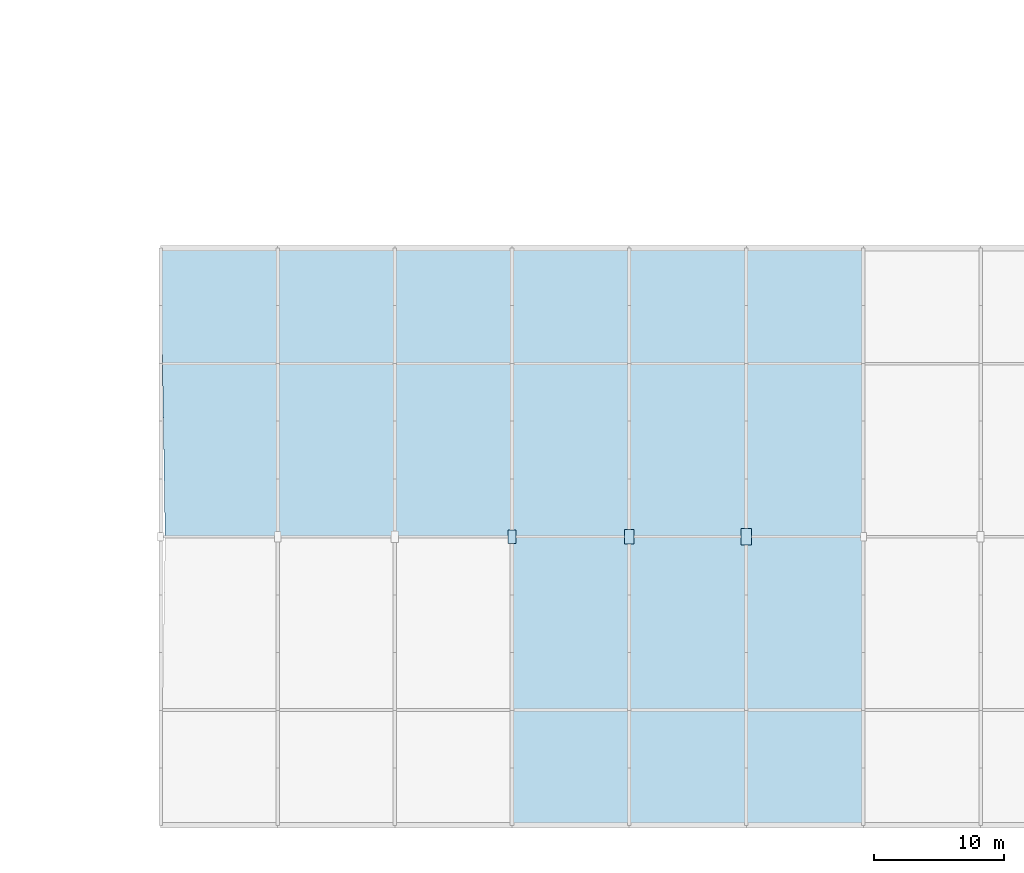
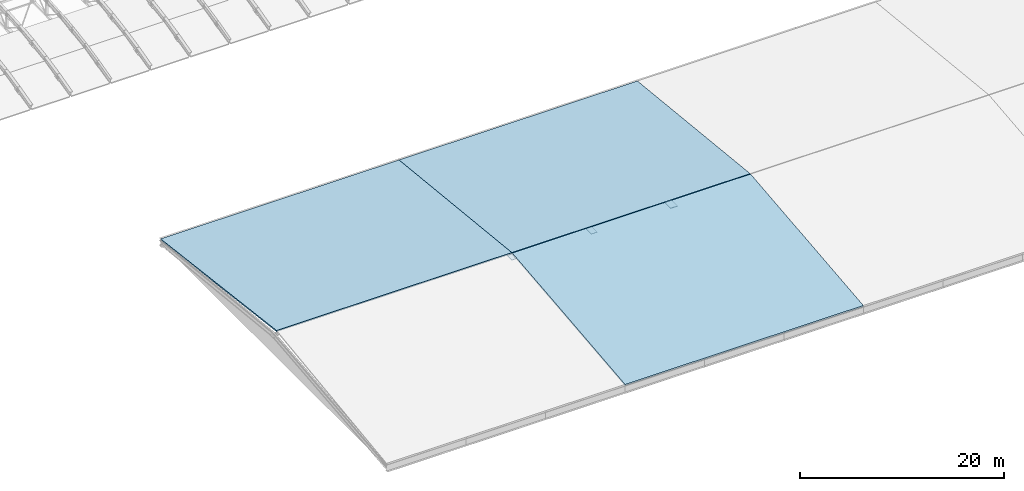
# One storey, part 31 of 53: 3 plates, 3 slabs.
"""IFC4 building model written with IfcOpenShell, lengths in metres."""

from ifc_helpers import new_model, si_unit, direction, frame, origin, origin_2d, place, context, subcontext, project, spatial, polyline, rectangle, outline, extrude, material, layer, layer_set, type_object, element, save


model = new_model("IFC4")

# Units and contexts
model_context = context("Model", 3, precision=1e-05, world=origin(), true_north=direction((0.0, 1.0)))
body_context = subcontext(model_context, "Body", "Model", "MODEL_VIEW")
ifc_project = project(units=[si_unit("LENGTHUNIT", "METRE"), si_unit("AREAUNIT", "SQUARE_METRE"), si_unit("VOLUMEUNIT", "CUBIC_METRE"), si_unit("PLANEANGLEUNIT", "RADIAN"), si_unit("MASSUNIT", "GRAM", prefix="KILO")], contexts=[model_context])

# Site, building, storey
site_placement = place(None, origin())
site = spatial("IfcSite", under=ifc_project, at=site_placement, CompositionType="ELEMENT")
building_placement = place(site_placement, origin())
building = spatial("IfcBuilding", under=site, at=building_placement, Name="Cazmaro Siding Exhibition Halls", CompositionType="ELEMENT")
storey_placement = place(building_placement, frame((0.0, 0.0, 21.0)))
storey = spatial("IfcBuildingStorey", under=building, at=storey_placement, Name="L04", CompositionType="ELEMENT", Elevation=21.0)

# Plates
ifc_material_1 = material(Name="Steel ASTM A572 Grade 50", Category="steel")
ifc_layer_1 = layer(ifc_material_1, 0.0419921875)
ifc_layer_set_1 = layer_set([ifc_layer_1], Name="Steel ASTM A572 Grade 50")
plate_type_1 = type_object("IfcPlateType", Name="GP-10", PredefinedType="USERDEFINED", material=ifc_layer_set_1)
plate_1_placement = place(storey_placement, frame((99.0, 31.425048828125, 1.8291015625), z_axis=(0.0, 0.0, 1.0), x_axis=(0.0, 1.0, 0.0)))
element("IfcPlate", 1, at=plate_1_placement, inside=storey, type_object=plate_type_1, Name="Warren truss ridge gusset plate GP-10 node TN-03", ObjectType="GUSSET PLATE", PredefinedType="USERDEFINED", context=body_context, shape_type="SweptSolid", body=[
    extrude(rectangle(XDim=1.02001953125, YDim=0.639892578125, at=origin_2d()), origin(), (0.0, 0.0, 1.0), 0.0419921875),
])
ifc_material_2 = material(Name="Steel ASTM A572 Grade 50", Category="steel")
ifc_layer_2 = layer(ifc_material_2, 0.052001953125)
ifc_layer_set_2 = layer_set([ifc_layer_2], Name="Steel ASTM A572 Grade 50")
plate_type_2 = type_object("IfcPlateType", Name="GP-11", PredefinedType="USERDEFINED", material=ifc_layer_set_2)
plate_2_placement = place(storey_placement, frame((108.0, 31.425048828125, 1.82421875), z_axis=(0.0, 0.0, 1.0), x_axis=(0.0, 1.0, 0.0)))
element("IfcPlate", 2, at=plate_2_placement, inside=storey, type_object=plate_type_2, Name="Warren truss ridge gusset plate GP-11 node TN-03", ObjectType="GUSSET PLATE", PredefinedType="USERDEFINED", context=body_context, shape_type="SweptSolid", body=[
    extrude(rectangle(XDim=1.139892578125, YDim=0.719970703125, at=origin_2d()), origin(), (0.0, 0.0, 1.0), 0.052001953125),
])
ifc_material_3 = material(Name="Steel ASTM A572 Grade 50", Category="steel")
ifc_layer_3 = layer(ifc_material_3, 0.06201171875)
ifc_layer_set_3 = layer_set([ifc_layer_3], Name="Steel ASTM A572 Grade 50")
plate_type_3 = type_object("IfcPlateType", Name="GP-12", PredefinedType="USERDEFINED", material=ifc_layer_set_3)
plate_3_placement = place(storey_placement, frame((117.0, 31.425048828125, 1.819091796875), z_axis=(0.0, 0.0, 1.0), x_axis=(0.0, 1.0, 0.0)))
element("IfcPlate", 3, at=plate_3_placement, inside=storey, type_object=plate_type_3, Name="Warren truss ridge gusset plate GP-12 node TN-03", ObjectType="GUSSET PLATE", PredefinedType="USERDEFINED", context=body_context, shape_type="SweptSolid", body=[
    extrude(rectangle(XDim=1.280029296875, YDim=0.820068359375, at=origin_2d()), origin(), (0.0, 0.0, 1.0), 0.06201171875),
])

# Slabs
ifc_material_4 = material(Name="Concrete f'c 35 MPa", Category="concrete")
ifc_layer_4 = layer(ifc_material_4, 0.159912109375)
ifc_layer_set_4 = layer_set([ifc_layer_4], Name="Concrete f'c 35 MPa")
slab_type = type_object("IfcSlabType", Name="RS-01", PredefinedType="ROOF", material=ifc_layer_set_4)
slab_1_placement = place(storey_placement, frame((72.35009765625, 31.4599609375, 2.326904296875), z_axis=(0.0, 0.104523227723, 0.994522445632), x_axis=(1.0, 0.0, 0.0)))
element("IfcSlab", 4, at=slab_1_placement, inside=storey, type_object=slab_type, Name="Hall B2 Warren North Roof Panel 1 RS-01 SLB-0072", PredefinedType="ROOF", context=body_context, shape_type="SweptSolid", body=[
    extrude(outline(polyline([(0.0, 0.0), (26.64990234375, 0.0), (26.64990234375, 22.262078463875678), (-0.35009765625, 22.262078463875678), (0.0, 0.0)])), origin(), (0.0, 0.0, -1.0), 0.159912109375),
])
slab_2_placement = place(storey_placement, frame((99.0, 9.25, 0.0), z_axis=(0.0, -0.104524367728, 0.994522325818), x_axis=(1.0, 0.0, 0.0)))
element("IfcSlab", 5, at=slab_2_placement, inside=storey, type_object=slab_type, Name="Hall B2 Warren South Roof Panel 2 RS-01 SLB-0073", PredefinedType="ROOF", context=body_context, shape_type="SweptSolid", body=[
    extrude(outline(polyline([(0.0, 0.0), (27.0, 0.0), (27.0, 22.26183566055885), (0.0, 22.26183566055885), (0.0, 0.0)])), origin(), (0.0, 0.0, -1.0), 0.159912109375),
])
slab_3_placement = place(storey_placement, frame((99.0, 31.4599609375, 2.326904296875), z_axis=(0.0, 0.104523227723, 0.994522445632), x_axis=(1.0, 0.0, 0.0)))
element("IfcSlab", 6, at=slab_3_placement, inside=storey, type_object=slab_type, Name="Hall B2 Warren North Roof Panel 2 RS-01 SLB-0074", PredefinedType="ROOF", context=body_context, shape_type="SweptSolid", body=[
    extrude(outline(polyline([(0.0, 0.0), (27.0, 0.0), (27.0, 22.26207846387568), (0.0, 22.26207846387568), (0.0, 0.0)])), origin(), (0.0, 0.0, -1.0), 0.159912109375),
])

save(model, "model.ifc")
